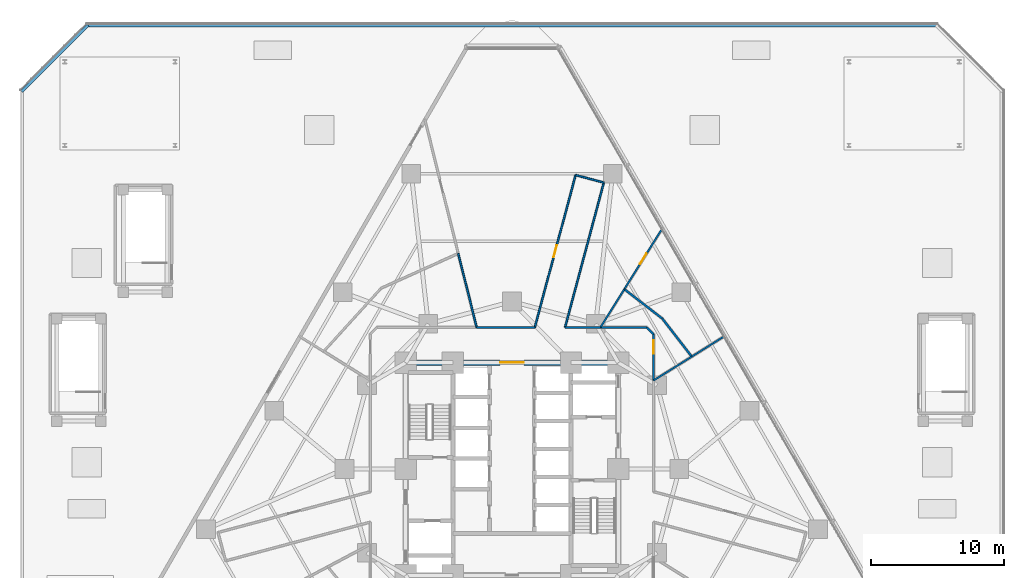
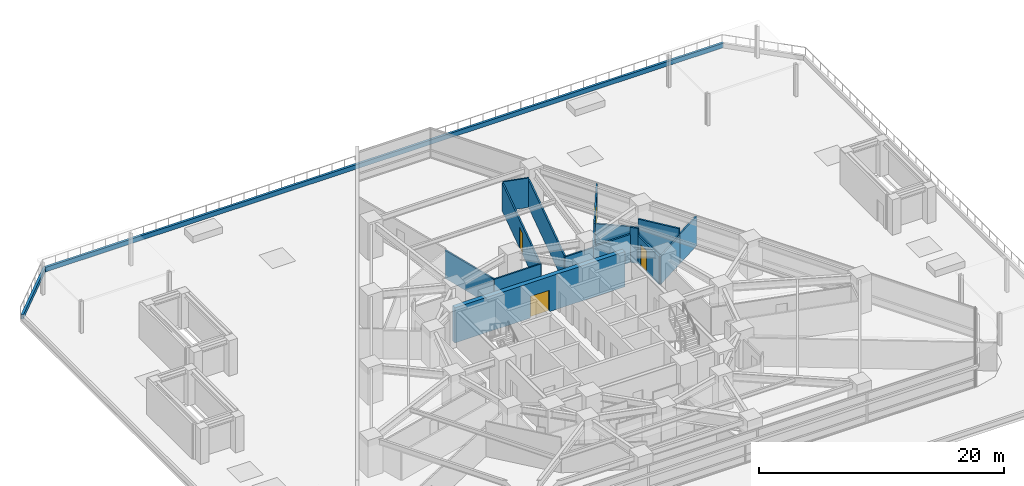
# One storey, part 18 of 23: 18 walls, 4 doors, 4 openings.
"""IFC4 building model written with IfcOpenShell, lengths in metres."""

from ifc_helpers import new_model, si_unit, direction, frame, frame_2d, origin, place, context, subcontext, project, spatial, rectangle, extrude, material, layer, layer_set, type_object, element, fill, save


model = new_model("IFC4")

# Units and contexts
model_context = context("Model", 3, precision=1e-05, world=origin(), true_north=direction((0.0, 1.0)))
body_context = subcontext(model_context, "Body", "Model", "MODEL_VIEW")
ifc_project = project(units=[si_unit("LENGTHUNIT", "METRE"), si_unit("AREAUNIT", "SQUARE_METRE"), si_unit("VOLUMEUNIT", "CUBIC_METRE"), si_unit("PLANEANGLEUNIT", "RADIAN"), si_unit("MASSUNIT", "GRAM", prefix="KILO")], contexts=[model_context])

# Site, building, storey
site_placement = place(None, origin())
site = spatial("IfcSite", under=ifc_project, at=site_placement, CompositionType="ELEMENT")
building_placement = place(site_placement, origin())
building = spatial("IfcBuilding", under=site, at=building_placement, Name="Terralouvre Media Tower", CompositionType="ELEMENT")
storey_placement = place(building_placement, frame((0.0, 0.0, 26.0)))
storey = spatial("IfcBuildingStorey", under=building, at=storey_placement, Name="L05", CompositionType="ELEMENT", Elevation=26.0)

# Wall, opening, door
ifc_material_1 = material(Name="Concrete C60/75", Category="concrete")
ifc_layer_1 = layer(ifc_material_1, 0.419921875, Name="Core Reinforced Concrete Shear Wall CW-420")
ifc_layer_set_1 = layer_set([ifc_layer_1], Name="Concrete C60/75")
wall_type_1 = type_object("IfcWallType", Name="Core Reinforced Concrete Shear Wall CW-420", PredefinedType="SHEAR", material=ifc_layer_set_1)
wall_1_placement = place(storey_placement, frame((-8.0, 8.0, 0.0), z_axis=(0.0, 0.0, 1.0), x_axis=(1.0, 0.0, 0.0)))
wall_1 = element("IfcWall", 1, at=wall_1_placement, inside=storey, type_object=wall_type_1, Name="L05 N Core Shear Wall", PredefinedType="SHEAR", context=body_context, shape_type="SweptSolid", body=[
    extrude(rectangle(XDim=16.0, YDim=0.419921875, at=frame_2d((8.0, 0.0))), origin(), (0.0, 0.0, 1.0), 3.5),
])
opening_1_placement = place(wall_1_placement, frame((7.10009765625, 0.0, 0.0)))
opening_1 = element("IfcOpeningElement", 2, at=opening_1_placement, cuts=wall_1, Name="Opening FD-03", PredefinedType="OPENING", context=body_context, shape_type="SweptSolid", body=[
    extrude(rectangle(XDim=1.800048828125, YDim=2.14990234375, at=frame_2d((0.89990234375, 1.074951171875))), frame((0.0, 0.219970703125, 0.0), z_axis=(0.0, -1.0, 0.0), x_axis=(1.0, 0.0, 0.0)), (0.0, 0.0, 1.0), 0.43994140625),
])
ifc_material_2 = material(Name="Galvanised steel fire-resisting leaf", Category="steel")
door_type_1 = type_object("IfcDoorType", Name="Corridor Smoke-Control Double Door FD-03", OperationType="DOUBLE_DOOR_SINGLE_SWING", PredefinedType="DOOR", material=ifc_material_2)
door_1_placement = place(opening_1_placement, origin())
door_1 = element("IfcDoor", 3, at=door_1_placement, inside=storey, type_object=door_type_1, Name="L05 Central Lift Lobby Portal Door", OperationType="DOUBLE_DOOR_SINGLE_SWING", OverallHeight=2.14990234375, OverallWidth=1.800048828125, PredefinedType="DOOR", context=body_context, shape_type="SweptSolid", body=[
    extrude(rectangle(XDim=1.800048828125, YDim=2.14990234375, at=frame_2d((0.89990234375, 1.074951171875))), frame((0.0, 0.02490234375, 0.0), z_axis=(0.0, -1.0, 0.0), x_axis=(1.0, 0.0, 0.0)), (0.0, 0.0, 1.0), 0.050048828125),
])
fill(opening_1, door_1)

# Walls
ifc_material_3 = material(Name="Fire-rated gypsum board drywall partition")
ifc_layer_2 = layer(ifc_material_3, 0.135009765625, Name="Newsroom Acoustic Partition PT-135")
ifc_layer_set_2 = layer_set([ifc_layer_2], Name="Fire-rated gypsum board drywall partition")
wall_type_2 = type_object("IfcWallType", Name="Newsroom Acoustic Partition PT-135", PredefinedType="PARTITIONING", material=ifc_layer_set_2)
wall_2_placement = place(storey_placement, frame((6.655029296875, 10.64990234375, 0.0), z_axis=(0.0, 0.0, 1.0), x_axis=(-1.0, 0.0, 0.0)))
element("IfcWall", 4, at=wall_2_placement, inside=storey, type_object=wall_type_2, Name="L05 Interior Partition 006", PredefinedType="PARTITIONING", context=body_context, shape_type="SweptSolid", body=[
    extrude(rectangle(XDim=2.6630859375, YDim=0.135009765625, at=frame_2d((1.33154296875, 0.0))), origin(), (0.0, 0.0, 1.0), 2.68505859375),
])
wall_3_placement = place(storey_placement, frame((3.991943359375, 10.64990234375, 0.0), z_axis=(0.0, 0.0, 1.0), x_axis=(0.258889712088, 0.965906888357, 0.0)))
element("IfcWall", 5, at=wall_3_placement, inside=storey, type_object=wall_type_2, Name="L05 Interior Partition 007", PredefinedType="PARTITIONING", context=body_context, shape_type="SweptSolid", body=[
    extrude(rectangle(XDim=11.279541015625, YDim=0.135009765625, at=frame_2d((5.6396484375, 0.0))), origin(), (0.0, 0.0, 1.0), 2.784912109375),
])
wall_4_placement = place(storey_placement, frame((6.912109375, 21.544921875, 0.0), z_axis=(0.0, 0.0, 1.0), x_axis=(-0.965848933329, 0.259105843213, 0.0)))
element("IfcWall", 6, at=wall_4_placement, inside=storey, type_object=wall_type_2, Name="L05 Interior Partition 008", PredefinedType="PARTITIONING", context=body_context, shape_type="SweptSolid", body=[
    extrude(rectangle(XDim=2.2001953125, YDim=0.135009765625, at=frame_2d((1.10009765625, 0.0))), origin(), (0.0, 0.0, 1.0), 2.93505859375),
])

# Wall, opening, door
wall_5_placement = place(storey_placement, frame((4.787109375, 22.114990234375, 0.0), z_axis=(0.0, 0.0, 1.0), x_axis=(-0.258815935688, -0.965926659449, 0.0)))
wall_5 = element("IfcWall", 7, at=wall_5_placement, inside=storey, type_object=wall_type_2, Name="L05 Interior Partition 009", PredefinedType="PARTITIONING", context=body_context, shape_type="SweptSolid", body=[
    extrude(rectangle(XDim=11.86962890625, YDim=0.135009765625, at=frame_2d((5.934814453125, 0.0))), origin(), (0.0, 0.0, 1.0), 2.784912109375),
])
opening_2_placement = place(wall_5_placement, frame((5.459716796875, 0.0, 0.0)))
opening_2 = element("IfcOpeningElement", 8, at=opening_2_placement, cuts=wall_5, Name="Opening ID-02-95X210", PredefinedType="OPENING", context=body_context, shape_type="SweptSolid", body=[
    extrude(rectangle(XDim=0.949951171875, YDim=2.10009765625, at=frame_2d((0.47509765625, 1.050048828125))), frame((0.0, 0.077392578125, 0.0), z_axis=(0.0, -1.0, 0.0), x_axis=(1.0, 0.0, 0.0)), (0.0, 0.0, 1.0), 0.155029296875),
])
ifc_material_4 = material(Name="Engineered hardwood acoustic timber leaf", Category="wood")
door_type_2 = type_object("IfcDoorType", Name="Office and Meeting Room Door ID-02 (950x2100)", OperationType="NOTDEFINED", PredefinedType="DOOR", material=ifc_material_4)
door_2_placement = place(opening_2_placement, origin())
door_2 = element("IfcDoor", 9, at=door_2_placement, inside=storey, type_object=door_type_2, Name="L05 Breaking Desk Editorial Office 2 Door", OperationType="SINGLE_SWING_LEFT", OverallHeight=2.10009765625, OverallWidth=0.949951171875, PredefinedType="DOOR", context=body_context, shape_type="SweptSolid", body=[
    extrude(rectangle(XDim=0.949951171875, YDim=2.10009765625, at=frame_2d((0.47509765625, 1.050048828125))), frame((0.0, 0.02490234375, 0.0), z_axis=(0.0, -1.0, 0.0), x_axis=(1.0, 0.0, 0.0)), (0.0, 0.0, 1.0), 0.050048828125),
])
fill(opening_2, door_2)

# Walls
wall_6_placement = place(storey_placement, frame((1.715087890625, 10.64990234375, 0.0), z_axis=(0.0, 0.0, 1.0), x_axis=(-1.0, 0.0, 0.0)))
element("IfcWall", 10, at=wall_6_placement, inside=storey, type_object=wall_type_2, Name="L05 Interior Partition 010", PredefinedType="PARTITIONING", context=body_context, shape_type="SweptSolid", body=[
    extrude(rectangle(XDim=4.3701171875, YDim=0.135009765625, at=frame_2d((2.18505859375, 0.0))), origin(), (0.0, 0.0, 1.0), 2.784912109375),
])
wall_7_placement = place(storey_placement, frame((13.528076171875, 8.452880859375, 0.0), z_axis=(0.0, 0.0, 1.0), x_axis=(-0.848131653937, -0.529785520366, 0.0)))
element("IfcWall", 11, at=wall_7_placement, inside=storey, type_object=wall_type_2, Name="L05 Interior Partition 032", PredefinedType="PARTITIONING", context=body_context, shape_type="SweptSolid", body=[
    extrude(rectangle(XDim=3.3935546875, YDim=0.135009765625, at=frame_2d((1.69677734375, 0.0))), origin(), (0.0, 0.0, 1.0), 2.784912109375),
])
wall_8_placement = place(storey_placement, frame((15.984130859375, 9.98828125, 0.0), z_axis=(0.0, 0.0, 1.0), x_axis=(-0.847941475479, -0.5300898548, 0.0)))
element("IfcWall", 12, at=wall_8_placement, inside=storey, type_object=wall_type_2, Name="L05 Interior Partition 033", PredefinedType="PARTITIONING", context=body_context, shape_type="SweptSolid", body=[
    extrude(rectangle(XDim=2.896484375, YDim=0.135009765625, at=frame_2d((1.4482421875, 0.0))), origin(), (0.0, 0.0, 1.0), 2.93505859375),
])
wall_9_placement = place(storey_placement, frame((6.655029296875, 10.64990234375, 0.0), z_axis=(0.0, 0.0, 1.0), x_axis=(0.529785520366, 0.848131653937, 0.0)))
element("IfcWall", 13, at=wall_9_placement, inside=storey, type_object=wall_type_2, Name="L05 Interior Partition 034", PredefinedType="PARTITIONING", context=body_context, shape_type="SweptSolid", body=[
    extrude(rectangle(XDim=3.3935546875, YDim=0.135009765625, at=frame_2d((1.69677734375, 0.0))), origin(), (0.0, 0.0, 1.0), 2.68505859375),
])

# Wall, opening, door
wall_10_placement = place(storey_placement, frame((8.452880859375, 13.528076171875, 0.0), z_axis=(0.0, 0.0, 1.0), x_axis=(0.529933702465, 0.848039073977, 0.0)))
wall_10 = element("IfcWall", 14, at=wall_10_placement, inside=storey, type_object=wall_type_2, Name="L05 Interior Partition 035", PredefinedType="PARTITIONING", context=body_context, shape_type="SweptSolid", body=[
    extrude(rectangle(XDim=5.38232421875, YDim=0.135009765625, at=frame_2d((2.691162109375, 0.0))), origin(), (0.0, 0.0, 1.0), 2.93505859375),
])
opening_3_placement = place(wall_10_placement, frame((2.231201171875, 0.0, 0.0)))
opening_3 = element("IfcOpeningElement", 15, at=opening_3_placement, cuts=wall_10, Name="Opening ID-03-92X210", PredefinedType="OPENING", context=body_context, shape_type="SweptSolid", body=[
    extrude(rectangle(XDim=0.919921875, YDim=2.10009765625, at=frame_2d((0.4599609375, 1.050048828125))), frame((0.0, 0.077392578125, 0.0), z_axis=(0.0, -1.0, 0.0), x_axis=(1.0, 0.0, 0.0)), (0.0, 0.0, 1.0), 0.155029296875),
])
ifc_material_5 = material(Name="Engineered hardwood acoustic timber leaf", Category="wood")
door_type_3 = type_object("IfcDoorType", Name="Accessible Restroom and Suite Door ID-03 (920x2100)", OperationType="NOTDEFINED", PredefinedType="DOOR", material=ifc_material_5)
door_3_placement = place(opening_3_placement, origin())
door_3 = element("IfcDoor", 16, at=door_3_placement, inside=storey, type_object=door_type_3, Name="L05 Newsroom Tea Pantry 8 Door", OperationType="SINGLE_SWING_LEFT", OverallHeight=2.10009765625, OverallWidth=0.919921875, PredefinedType="DOOR", context=body_context, shape_type="SweptSolid", body=[
    extrude(rectangle(XDim=0.919921875, YDim=2.10009765625, at=frame_2d((0.4599609375, 1.050048828125))), frame((0.0, 0.02490234375, 0.0), z_axis=(0.0, -1.0, 0.0), x_axis=(1.0, 0.0, 0.0)), (0.0, 0.0, 1.0), 0.050048828125),
])
fill(opening_3, door_3)

# Wall
wall_11_placement = place(storey_placement, frame((-4.0439453125, 16.218017578125, 0.0), z_axis=(0.0, 0.0, 1.0), x_axis=(0.242025079774, -0.970269993744, 0.0)))
element("IfcWall", 17, at=wall_11_placement, inside=storey, type_object=wall_type_2, Name="L05 Interior Partition 037", PredefinedType="PARTITIONING", context=body_context, shape_type="SweptSolid", body=[
    extrude(rectangle(XDim=5.73876953125, YDim=0.135009765625, at=frame_2d((2.869384765625, 0.0))), origin(), (0.0, 0.0, 1.0), 2.784912109375),
])

# Wall, opening, door
ifc_material_6 = material(Name="Fire-rated gypsum board drywall partition")
ifc_layer_3 = layer(ifc_material_6, 0.159912109375, Name="Studio Acoustic Rated Partition PT-160")
ifc_layer_set_3 = layer_set([ifc_layer_3], Name="Fire-rated gypsum board drywall partition")
wall_type_3 = type_object("IfcWallType", Name="Studio Acoustic Rated Partition PT-160", PredefinedType="PARTITIONING", material=ifc_layer_set_3)
wall_12_placement = place(storey_placement, frame((10.64990234375, 6.655029296875, 0.0), z_axis=(0.0, 0.0, 1.0), x_axis=(0.0, 1.0, 0.0)))
wall_12 = element("IfcWall", 18, at=wall_12_placement, inside=storey, type_object=wall_type_3, Name="L05 Interior Partition 025", PredefinedType="PARTITIONING", context=body_context, shape_type="SweptSolid", body=[
    extrude(rectangle(XDim=3.494873046875, YDim=0.159912109375, at=frame_2d((1.74755859375, 0.0))), origin(), (0.0, 0.0, 1.0), 2.784912109375),
])
opening_4_placement = place(wall_12_placement, frame((2.016357421875, 0.0, 0.0)))
opening_4 = element("IfcOpeningElement", 19, at=opening_4_placement, cuts=wall_12, Name="Opening ID-01-100X215", PredefinedType="OPENING", context=body_context, shape_type="SweptSolid", body=[
    extrude(rectangle(XDim=1.0, YDim=2.14990234375, at=frame_2d((0.5, 1.074951171875))), frame((0.0, 0.08984375, 0.0), z_axis=(0.0, -1.0, 0.0), x_axis=(1.0, 0.0, 0.0)), (0.0, 0.0, 1.0), 0.179931640625),
])
ifc_material_7 = material(Name="Engineered hardwood acoustic timber leaf", Category="wood")
door_type_4 = type_object("IfcDoorType", Name="Broadcast Studio Acoustic Single Door ID-01 (1000x2150)", OperationType="NOTDEFINED", PredefinedType="DOOR", material=ifc_material_7)
door_4_placement = place(opening_4_placement, origin())
door_4 = element("IfcDoor", 20, at=door_4_placement, inside=storey, type_object=door_type_4, Name="L05 Live Feed Master Control Room 7 Door", OperationType="SINGLE_SWING_RIGHT", OverallHeight=2.14990234375, OverallWidth=1.0, PredefinedType="DOOR", context=body_context, shape_type="SweptSolid", body=[
    extrude(rectangle(XDim=1.0, YDim=2.14990234375, at=frame_2d((0.5, 1.074951171875))), frame((0.0, 0.02490234375, 0.0), z_axis=(0.0, -1.0, 0.0), x_axis=(1.0, 0.0, 0.0)), (0.0, 0.0, 1.0), 0.050048828125),
])
fill(opening_4, door_4)

# Walls
wall_13_placement = place(storey_placement, frame((10.64990234375, 10.14990234375, 0.0), z_axis=(0.0, 0.0, 1.0), x_axis=(-0.707106781187, 0.707106781187, 0.0)))
element("IfcWall", 21, at=wall_13_placement, inside=storey, type_object=wall_type_3, Name="L05 Interior Partition 026", PredefinedType="PARTITIONING", context=body_context, shape_type="SweptSolid", body=[
    extrude(rectangle(XDim=0.70703125, YDim=0.159912109375, at=frame_2d((0.353515625, 0.0))), origin(), (0.0, 0.0, 1.0), 3.5),
])
wall_14_placement = place(storey_placement, frame((10.14990234375, 10.64990234375, 0.0), z_axis=(0.0, 0.0, 1.0), x_axis=(-1.0, 0.0, 0.0)))
element("IfcWall", 22, at=wall_14_placement, inside=storey, type_object=wall_type_3, Name="L05 Interior Partition 027", PredefinedType="PARTITIONING", context=body_context, shape_type="SweptSolid", body=[
    extrude(rectangle(XDim=3.494873046875, YDim=0.159912109375, at=frame_2d((1.74755859375, 0.0))), origin(), (0.0, 0.0, 1.0), 2.784912109375),
])
wall_15_placement = place(storey_placement, frame((13.528076171875, 8.452880859375, 0.0), z_axis=(0.0, 0.0, 1.0), x_axis=(-0.612013931987, 0.790846980809, 0.0)))
element("IfcWall", 23, at=wall_15_placement, inside=storey, type_object=wall_type_3, Name="L05 Interior Partition 055", PredefinedType="PARTITIONING", context=body_context, shape_type="SweptSolid", body=[
    extrude(rectangle(XDim=3.61767578125, YDim=0.159912109375, at=frame_2d((1.808837890625, 0.0))), origin(), (0.0, 0.0, 1.0), 3.5),
])
wall_16_placement = place(storey_placement, frame((11.31396484375, 11.31396484375, 0.0), z_axis=(0.0, 0.0, 1.0), x_axis=(-0.790846980809, 0.612013931987, 0.0)))
element("IfcWall", 24, at=wall_16_placement, inside=storey, type_object=wall_type_3, Name="L05 Interior Partition 056", PredefinedType="PARTITIONING", context=body_context, shape_type="SweptSolid", body=[
    extrude(rectangle(XDim=3.61767578125, YDim=0.159912109375, at=frame_2d((1.808837890625, 0.0))), origin(), (0.0, 0.0, 1.0), 2.68505859375),
])
ifc_material_8 = material(Name="Kiln-fired architectural terracotta rainscreen cladding", Category="masonry")
ifc_layer_4 = layer(ifc_material_8, 0.219970703125, Name="Terracotta Parapet Upstand Wall PW-220")
ifc_layer_set_4 = layer_set([ifc_layer_4], Name="Kiln-fired architectural terracotta rainscreen cladding")
wall_type_4 = type_object("IfcWallType", Name="Terracotta Parapet Upstand Wall PW-220", PredefinedType="PARAPET", material=ifc_layer_set_4)
wall_17_placement = place(storey_placement, frame((32.0, 33.35009765625, 0.0), z_axis=(0.0, 0.0, 1.0), x_axis=(-1.0, 0.0, 0.0)))
element("IfcWall", 25, at=wall_17_placement, inside=storey, type_object=wall_type_4, Name="L05 Raised Garden Parapet 05", PredefinedType="PARAPET", context=body_context, shape_type="SweptSolid", body=[
    extrude(rectangle(XDim=64.0, YDim=0.219970703125, at=frame_2d((32.0, 0.0))), origin(), (0.0, 0.0, 1.0), 0.449951171875),
])
wall_18_placement = place(storey_placement, frame((-31.89404296875, 33.39404296875, 0.0), z_axis=(0.0, 0.0, 1.0), x_axis=(-0.707106781187, -0.707106781187, 0.0)))
element("IfcWall", 26, at=wall_18_placement, inside=storey, type_object=wall_type_4, Name="L05 Raised Garden Parapet 06", PredefinedType="PARAPET", context=body_context, shape_type="SweptSolid", body=[
    extrude(rectangle(XDim=7.071044921875, YDim=0.219970703125, at=frame_2d((3.53564453125, 0.0))), origin(), (0.0, 0.0, 1.0), 0.449951171875),
])

save(model, "model.ifc")
